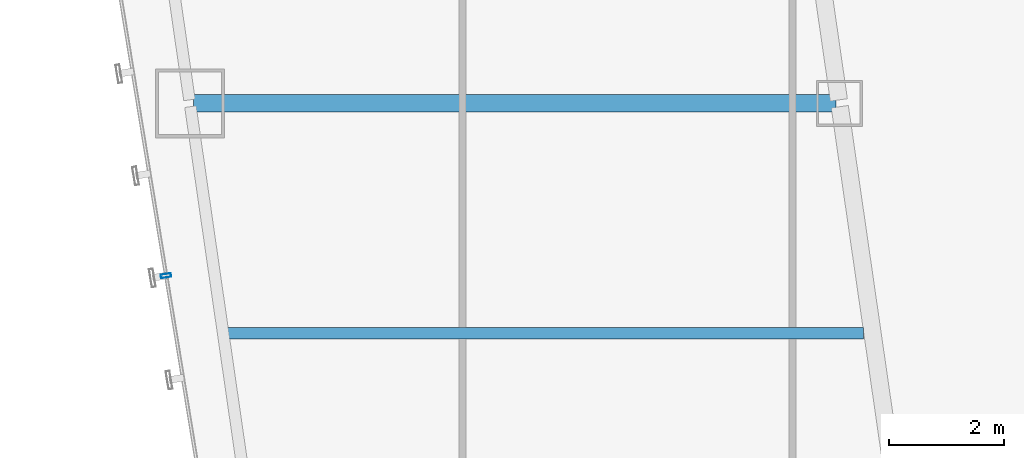
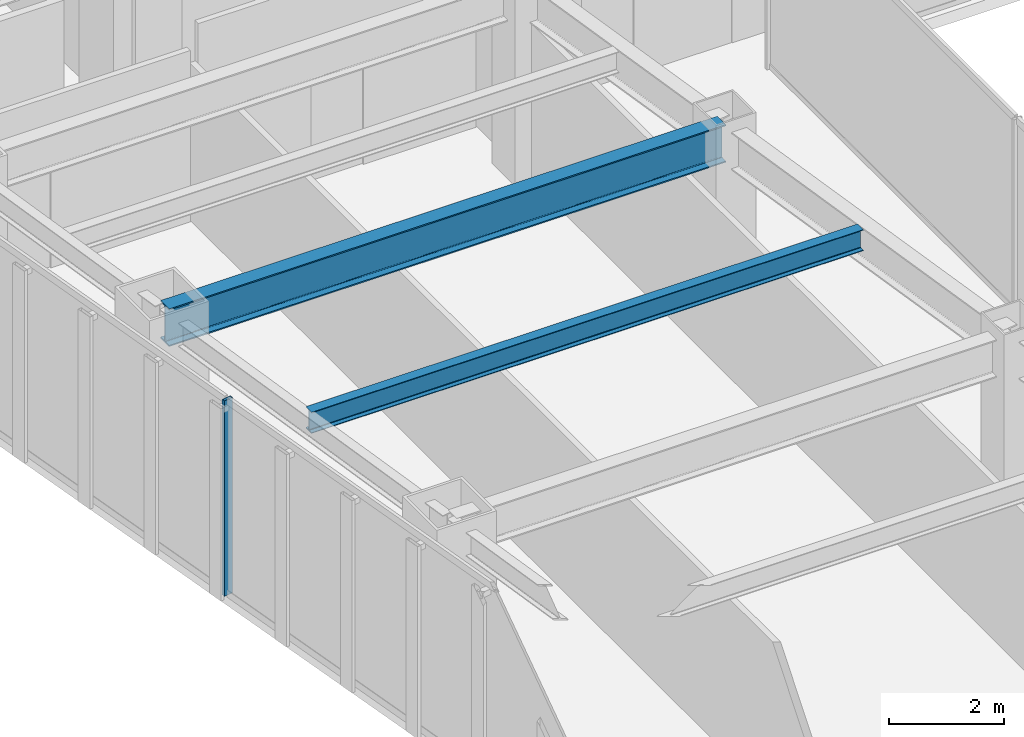
# One storey, part 11 of 47: 2 beams, 1 member, 1 element without a shape of its own.
"""IFC4 building model written with IfcOpenShell, lengths in metres."""

from ifc_helpers import new_model, si_unit, direction, frame, origin, origin_2d, place, context, subcontext, project, spatial, hollow_rectangle, i_section, extrude, material, material_profile, profile_set, type_object, element, aggregate, save


model = new_model("IFC4")

# Units and contexts
model_context = context("Model", 3, precision=1e-05, world=origin(), true_north=direction((0.0, 1.0)))
body_context = subcontext(model_context, "Body", "Model", "MODEL_VIEW")
ifc_project = project(units=[si_unit("LENGTHUNIT", "METRE"), si_unit("AREAUNIT", "SQUARE_METRE"), si_unit("VOLUMEUNIT", "CUBIC_METRE"), si_unit("PLANEANGLEUNIT", "RADIAN"), si_unit("MASSUNIT", "GRAM", prefix="KILO")], contexts=[model_context])

# Site, building, storey
site_placement = place(None, origin())
site = spatial("IfcSite", under=ifc_project, at=site_placement, CompositionType="ELEMENT")
building_placement = place(site_placement, origin())
building = spatial("IfcBuilding", under=site, at=building_placement, Name="Saevonmaru Cultural Tower", CompositionType="ELEMENT")
storey_placement = place(building_placement, frame((0.0, 0.0, 51.60009765625)))
storey = spatial("IfcBuildingStorey", under=building, at=storey_placement, Name="L10", CompositionType="ELEMENT", Elevation=51.60009765625)

# Beams
ifc_material_1 = material(Name="Steel SM420", Category="steel")
ifc_material_profile_1 = material_profile(ifc_material_1, i_section(OverallWidth=0.300048828125, OverallDepth=0.800048828125, WebThickness=0.013916015625, FlangeThickness=0.02587890625, FilletRadius=0.028076171875, at=origin_2d()), Name="H-800x300x14x26")
ifc_profile_set_1 = profile_set([ifc_material_profile_1], Name="Steel SM420")
beam_type_1 = type_object("IfcBeamType", Name="BM-G-H800", PredefinedType="BEAM", material=ifc_profile_set_1)
beam_1_placement = place(storey_placement, frame((8.376953125, 32.0, 3.75), z_axis=(1.0, 0.0, 0.0), x_axis=(0.0, 1.0, 0.0)))
element("IfcBeam", 1, at=beam_1_placement, inside=storey, type_object=beam_type_1, Name="L10 West Wing Transverse Girder 5", PredefinedType="BEAM", context=body_context, shape_type="SweptSolid", body=[
    extrude(i_section(OverallWidth=0.300048828125, OverallDepth=0.800048828125, WebThickness=0.013916015625, FlangeThickness=0.02587890625, FilletRadius=0.028076171875, at=origin_2d()), origin(), (0.0, 0.0, 1.0), 11.179931640625),
])
ifc_material_2 = material(Name="Steel SM355", Category="steel")
ifc_material_profile_2 = material_profile(ifc_material_2, i_section(OverallWidth=0.199951171875, OverallDepth=0.449951171875, WebThickness=0.009033203125, FlangeThickness=0.013916015625, FilletRadius=0.01806640625, at=origin_2d()), Name="H-450x200x9x14")
ifc_profile_set_2 = profile_set([ifc_material_profile_2], Name="Steel SM355")
beam_type_2 = type_object("IfcBeamType", Name="BM-J-H450", PredefinedType="JOIST", material=ifc_profile_set_2)
beam_2_placement = place(storey_placement, frame((8.95458984375, 28.0, 3.9248046875), z_axis=(1.0, 0.0, 0.0), x_axis=(0.0, 1.0, 0.0)))
element("IfcBeam", 2, at=beam_2_placement, inside=storey, type_object=beam_type_2, Name="L10 West Wing Floor Joist 4", PredefinedType="JOIST", context=body_context, shape_type="SweptSolid", body=[
    extrude(i_section(OverallWidth=0.199951171875, OverallDepth=0.449951171875, WebThickness=0.009033203125, FlangeThickness=0.013916015625, FilletRadius=0.01806640625, at=origin_2d()), origin(), (0.0, 0.0, 1.0), 11.08203125),
])

# Curtain wall, member
ifc_material_3 = material(Name="Satin Bronze Anodised Aluminium", Category="aluminium")
curtain_wall_type = type_object("IfcCurtainWallType", Name="CW-TYP-A", PredefinedType="NOTDEFINED", material=ifc_material_3)
curtain_wall_placement = place(storey_placement, origin())
curtain_wall = element("IfcCurtainWall", 3, at=curtain_wall_placement, inside=storey, type_object=curtain_wall_type, Name="L10 Unitised Curtain Wall E12", PredefinedType="NOTDEFINED")
ifc_material_profile_3 = material_profile(ifc_material_3, hollow_rectangle(XDim=0.06494140625, YDim=0.179931640625, WallThickness=0.00390625, at=origin_2d()), Name="ALU-MULL-180x65x4")
ifc_profile_set_3 = profile_set([ifc_material_profile_3], Name="Satin Bronze Anodised Aluminium")
member_type = type_object("IfcMemberType", Name="ML-CW-180x65", PredefinedType="MULLION", material=ifc_profile_set_3)
member_placement = place(storey_placement, frame((7.89990234375, 29.0, 0.0), z_axis=(0.0, 0.0, 1.0), x_axis=(0.161708868641, -0.986838508472, 0.0)))
member = element("IfcMember", 4, at=member_placement, type_object=member_type, Name="CW-TW-L10-E12 mullion 3", PredefinedType="MULLION", context=body_context, shape_type="SweptSolid", body=[
    extrude(hollow_rectangle(XDim=0.06494140625, YDim=0.179931640625, WallThickness=0.00390625, at=origin_2d()), origin(), (0.0, 0.0, 1.0), 4.14990234375),
])
aggregate(curtain_wall, [member])

save(model, "model.ifc")
